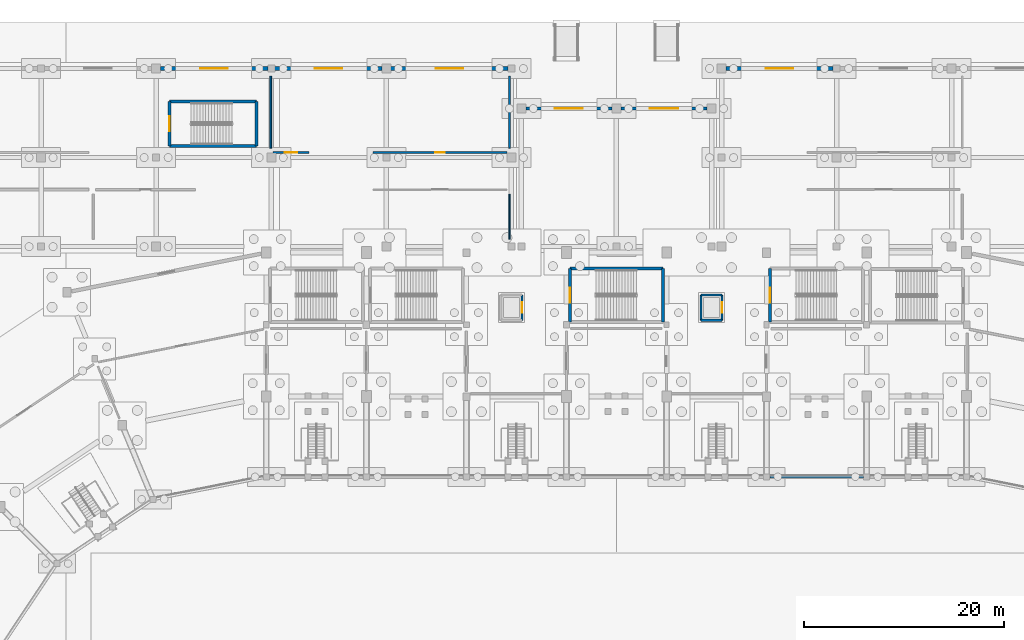
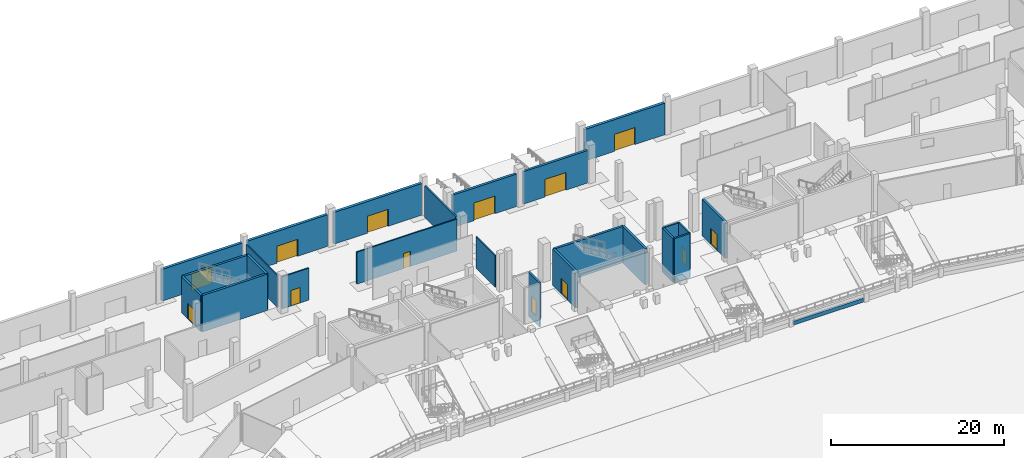
# One storey, part 39 of 68: 25 walls, 13 doors, 13 openings.
"""IFC4 building model written with IfcOpenShell, lengths in metres."""

from ifc_helpers import new_model, si_unit, direction, frame, frame_2d, origin, place, context, subcontext, project, spatial, rectangle, extrude, material, layer, layer_set, type_object, element, fill, save


model = new_model("IFC4")

# Units and contexts
model_context = context("Model", 3, precision=1e-05, world=origin(), true_north=direction((0.0, 1.0)))
body_context = subcontext(model_context, "Body", "Model", "MODEL_VIEW")
ifc_project = project(units=[si_unit("LENGTHUNIT", "METRE"), si_unit("AREAUNIT", "SQUARE_METRE"), si_unit("VOLUMEUNIT", "CUBIC_METRE"), si_unit("PLANEANGLEUNIT", "RADIAN"), si_unit("MASSUNIT", "GRAM", prefix="KILO")], contexts=[model_context])

# Site, building, storey
site_placement = place(None, origin())
site = spatial("IfcSite", under=ifc_project, at=site_placement, CompositionType="ELEMENT")
building_placement = place(site_placement, origin())
building = spatial("IfcBuilding", under=site, at=building_placement, Name="Candeia Ridge Stadium", CompositionType="ELEMENT")
storey_placement = place(building_placement, origin())
storey = spatial("IfcBuildingStorey", under=building, at=storey_placement, Name="L00", CompositionType="ELEMENT", Elevation=0.0)

# Wall, opening, door
ifc_material_1 = material(Name="Concrete C45/55", Category="concrete")
ifc_layer_1 = layer(ifc_material_1, 0.300048828125, Name="Concrete C45/55", Category="concrete")
ifc_layer_set_1 = layer_set([ifc_layer_1], Name="Concrete C45/55")
wall_type_1 = type_object("IfcWallType", Name="Core Shear Wall Concrete 300", PredefinedType="SHEAR", material=ifc_layer_set_1)
wall_1_placement = place(storey_placement, frame((121.350341796875, 145.399658203125, 0.0), z_axis=(0.0, 0.0, 1.0), x_axis=(0.0, -1.0, 0.0)))
wall_1 = element("IfcWall", 1, at=wall_1_placement, inside=storey, type_object=wall_type_1, Name="Core C10 near shear wall L00", PredefinedType="SHEAR", context=body_context, shape_type="SweptSolid", body=[
    extrude(rectangle(XDim=5.349365234375, YDim=0.300048828125, at=frame_2d((2.6748046875, 0.0))), origin(), (0.0, 0.0, 1.0), 5.139892578125),
])
opening_1_placement = place(wall_1_placement, frame((1.924560546875, 0.0, 0.0)))
opening_1 = element("IfcOpeningElement", 2, at=opening_1_placement, cuts=wall_1, Name="Opening FD01", PredefinedType="OPENING", context=body_context, shape_type="SweptSolid", body=[
    extrude(rectangle(XDim=1.5, YDim=2.199951171875, at=frame_2d((0.75, 1.10009765625))), frame((0.0, 0.159912109375, 0.0), z_axis=(0.0, -1.0, 0.0), x_axis=(1.0, 0.0, 0.0)), (0.0, 0.0, 1.0), 0.320068359375),
])
ifc_material_2 = material(Name="Galvanized Fire-Rated Steel", Category="steel")
door_type_1 = type_object("IfcDoorType", Name="Exit Stair Core Fire Door 1500x2200", OperationType="NOTDEFINED", PredefinedType="DOOR", material=ifc_material_2)
door_1_placement = place(opening_1_placement, frame((1.5, 0.0, 0.0), z_axis=(0.0, 0.0, 1.0), x_axis=(-1.0, 0.0, 0.0)))
door_1 = element("IfcDoor", 3, at=door_1_placement, inside=storey, type_object=door_type_1, Name="Exit stair fire door SD-ST10-L00", OperationType="DOUBLE_DOOR_SINGLE_SWING", OverallHeight=2.199951171875, OverallWidth=1.5, PredefinedType="DOOR", context=body_context, shape_type="SweptSolid", body=[
    extrude(rectangle(XDim=1.5, YDim=2.199951171875, at=frame_2d((0.75, 1.10009765625))), frame((0.0, 0.02490234375, 0.0), z_axis=(0.0, -1.0, 0.0), x_axis=(1.0, 0.0, 0.0)), (0.0, 0.0, 1.0), 0.050048828125),
])
fill(opening_1, door_1)

# Walls
wall_2_placement = place(storey_placement, frame((61.350341796875, 157.650390625, 0.0), z_axis=(0.0, 0.0, 1.0), x_axis=(1.0, 0.0, 0.0)))
element("IfcWall", 4, at=wall_2_placement, inside=storey, type_object=wall_type_1, Name="Core C15 left shear wall L00", PredefinedType="SHEAR", context=body_context, shape_type="SweptSolid", body=[
    extrude(rectangle(XDim=8.69921875, YDim=0.300048828125, at=frame_2d((4.349609375, 0.0))), origin(), (0.0, 0.0, 1.0), 5.139892578125),
])
wall_3_placement = place(storey_placement, frame((70.049560546875, 157.650390625, 0.0), z_axis=(0.0, 0.0, 1.0), x_axis=(0.0, 1.0, 0.0)))
element("IfcWall", 5, at=wall_3_placement, inside=storey, type_object=wall_type_1, Name="Core C15 far shear wall L00", PredefinedType="SHEAR", context=body_context, shape_type="SweptSolid", body=[
    extrude(rectangle(XDim=4.44921875, YDim=0.300048828125, at=frame_2d((2.224609375, 0.0))), origin(), (0.0, 0.0, 1.0), 5.139892578125),
])
wall_4_placement = place(storey_placement, frame((70.049560546875, 162.099609375, 0.0), z_axis=(0.0, 0.0, 1.0), x_axis=(-1.0, 0.0, 0.0)))
element("IfcWall", 6, at=wall_4_placement, inside=storey, type_object=wall_type_1, Name="Core C15 right shear wall L00", PredefinedType="SHEAR", context=body_context, shape_type="SweptSolid", body=[
    extrude(rectangle(XDim=8.69921875, YDim=0.300048828125, at=frame_2d((4.349609375, 0.0))), origin(), (0.0, 0.0, 1.0), 5.139892578125),
])

# Wall, opening, door
wall_5_placement = place(storey_placement, frame((61.350341796875, 162.099609375, 0.0), z_axis=(0.0, 0.0, 1.0), x_axis=(0.0, -1.0, 0.0)))
wall_5 = element("IfcWall", 7, at=wall_5_placement, inside=storey, type_object=wall_type_1, Name="Core C15 near shear wall L00", PredefinedType="SHEAR", context=body_context, shape_type="SweptSolid", body=[
    extrude(rectangle(XDim=4.44921875, YDim=0.300048828125, at=frame_2d((2.224609375, 0.0))), origin(), (0.0, 0.0, 1.0), 5.139892578125),
])
opening_2_placement = place(wall_5_placement, frame((1.474609375, 0.0, 0.0)))
opening_2 = element("IfcOpeningElement", 8, at=opening_2_placement, cuts=wall_5, Name="Opening FD01", PredefinedType="OPENING", context=body_context, shape_type="SweptSolid", body=[
    extrude(rectangle(XDim=1.5, YDim=2.199951171875, at=frame_2d((0.75, 1.10009765625))), frame((0.0, 0.159912109375, 0.0), z_axis=(0.0, -1.0, 0.0), x_axis=(1.0, 0.0, 0.0)), (0.0, 0.0, 1.0), 0.320068359375),
])
door_2_placement = place(opening_2_placement, frame((1.5, 0.0, 0.0), z_axis=(0.0, 0.0, 1.0), x_axis=(-1.0, 0.0, 0.0)))
door_2 = element("IfcDoor", 9, at=door_2_placement, inside=storey, type_object=door_type_1, Name="Exit stair fire door SD-ST15-L00", OperationType="DOUBLE_DOOR_SINGLE_SWING", OverallHeight=2.199951171875, OverallWidth=1.5, PredefinedType="DOOR", context=body_context, shape_type="SweptSolid", body=[
    extrude(rectangle(XDim=1.5, YDim=2.199951171875, at=frame_2d((0.75, 1.10009765625))), frame((0.0, 0.02490234375, 0.0), z_axis=(0.0, -1.0, 0.0), x_axis=(1.0, 0.0, 0.0)), (0.0, 0.0, 1.0), 0.050048828125),
])
fill(opening_2, door_2)

# Walls
wall_6_placement = place(storey_placement, frame((110.649658203125, 140.05029296875, 0.0), z_axis=(0.0, 0.0, 1.0), x_axis=(0.0, 1.0, 0.0)))
element("IfcWall", 10, at=wall_6_placement, inside=storey, type_object=wall_type_1, Name="Core C17 far shear wall L00", PredefinedType="SHEAR", context=body_context, shape_type="SweptSolid", body=[
    extrude(rectangle(XDim=5.349365234375, YDim=0.300048828125, at=frame_2d((2.6748046875, 0.0))), origin(), (0.0, 0.0, 1.0), 5.139892578125),
])
wall_7_placement = place(storey_placement, frame((110.649658203125, 145.399658203125, 0.0), z_axis=(0.0, 0.0, 1.0), x_axis=(-1.0, 0.0, 0.0)))
element("IfcWall", 11, at=wall_7_placement, inside=storey, type_object=wall_type_1, Name="Core C17 right shear wall L00", PredefinedType="SHEAR", context=body_context, shape_type="SweptSolid", body=[
    extrude(rectangle(XDim=9.29931640625, YDim=0.300048828125, at=frame_2d((4.649658203125, 0.0))), origin(), (0.0, 0.0, 1.0), 5.139892578125),
])

# Wall, opening, door
wall_8_placement = place(storey_placement, frame((101.350341796875, 145.399658203125, 0.0), z_axis=(0.0, 0.0, 1.0), x_axis=(0.0, -1.0, 0.0)))
wall_8 = element("IfcWall", 12, at=wall_8_placement, inside=storey, type_object=wall_type_1, Name="Core C17 near shear wall L00", PredefinedType="SHEAR", context=body_context, shape_type="SweptSolid", body=[
    extrude(rectangle(XDim=5.349365234375, YDim=0.300048828125, at=frame_2d((2.6748046875, 0.0))), origin(), (0.0, 0.0, 1.0), 5.139892578125),
])
opening_3_placement = place(wall_8_placement, frame((1.924560546875, 0.0, 0.0)))
opening_3 = element("IfcOpeningElement", 13, at=opening_3_placement, cuts=wall_8, Name="Opening FD01", PredefinedType="OPENING", context=body_context, shape_type="SweptSolid", body=[
    extrude(rectangle(XDim=1.5, YDim=2.199951171875, at=frame_2d((0.75, 1.10009765625))), frame((0.0, 0.159912109375, 0.0), z_axis=(0.0, -1.0, 0.0), x_axis=(1.0, 0.0, 0.0)), (0.0, 0.0, 1.0), 0.320068359375),
])
door_3_placement = place(opening_3_placement, frame((1.5, 0.0, 0.0), z_axis=(0.0, 0.0, 1.0), x_axis=(-1.0, 0.0, 0.0)))
door_3 = element("IfcDoor", 14, at=door_3_placement, inside=storey, type_object=door_type_1, Name="Exit stair fire door SD-ST17-L00", OperationType="DOUBLE_DOOR_SINGLE_SWING", OverallHeight=2.199951171875, OverallWidth=1.5, PredefinedType="DOOR", context=body_context, shape_type="SweptSolid", body=[
    extrude(rectangle(XDim=1.5, YDim=2.199951171875, at=frame_2d((0.75, 1.10009765625))), frame((0.0, 0.02490234375, 0.0), z_axis=(0.0, -1.0, 0.0), x_axis=(1.0, 0.0, 0.0)), (0.0, 0.0, 1.0), 0.050048828125),
])
fill(opening_3, door_3)

# Wall
ifc_material_3 = material(Name="Gypsum Acoustic Twin-Stud Assembly", Category="gypsum")
ifc_layer_2 = layer(ifc_material_3, 0.179931640625, Name="Gypsum Acoustic Twin-Stud Assembly", Category="gypsum")
ifc_layer_set_2 = layer_set([ifc_layer_2], Name="Gypsum Acoustic Twin-Stud Assembly")
wall_type_2 = type_object("IfcWallType", Name="Corridor Fire Partition 180", PredefinedType="PARTITIONING", material=ifc_layer_set_2)
wall_9_placement = place(storey_placement, frame((95.300048828125, 164.64990234375, 0.0), z_axis=(0.0, 0.0, 1.0), x_axis=(0.0, -1.0, 0.0)))
element("IfcWall", 15, at=wall_9_placement, inside=storey, type_object=wall_type_2, Name="Demising partition PT-L00-0094", PredefinedType="PARTITIONING", context=body_context, shape_type="SweptSolid", body=[
    extrude(rectangle(XDim=7.199951171875, YDim=0.179931640625, at=frame_2d((3.60009765625, 0.0))), origin(), (0.0, 0.0, 1.0), 4.47509765625),
])

# Wall, opening, door
ifc_material_4 = material(Name="Concrete C40/50", Category="concrete")
ifc_layer_3 = layer(ifc_material_4, 0.360107421875, Name="Concrete C40/50", Category="concrete")
ifc_layer_set_3 = layer_set([ifc_layer_3], Name="Concrete C40/50")
wall_type_3 = type_object("IfcWallType", Name="Exterior Basalt Plinth Wall 360", PredefinedType="SOLIDWALL", material=ifc_layer_set_3)
wall_10_placement = place(storey_placement, frame((60.43798828125, 165.39990234375, 0.0), z_axis=(0.0, 0.0, 1.0), x_axis=(1.0, 0.0, 0.0)))
wall_10 = element("IfcWall", 16, at=wall_10_placement, inside=storey, type_object=wall_type_3, Name="Exterior facade wall EW-L00-0191", PredefinedType="SOLIDWALL", context=body_context, shape_type="SweptSolid", body=[
    extrude(rectangle(XDim=10.72412109375, YDim=0.360107421875, at=frame_2d((5.362060546875, 0.0))), origin(), (0.0, 0.0, 1.0), 4.47509765625),
])
opening_4_placement = place(wall_10_placement, frame((3.987060546875, 0.0, 0.0)))
opening_4 = element("IfcOpeningElement", 17, at=opening_4_placement, cuts=wall_10, Name="Opening ED01", PredefinedType="OPENING", context=body_context, shape_type="SweptSolid", body=[
    extrude(rectangle(XDim=2.75, YDim=2.39990234375, at=frame_2d((1.375, 1.199951171875))), frame((0.0, 0.18994140625, 0.0), z_axis=(0.0, -1.0, 0.0), x_axis=(1.0, 0.0, 0.0)), (0.0, 0.0, 1.0), 0.380126953125),
])
ifc_material_5 = material(Name="Aluminium Anodized Glazed Door", Category="aluminium")
door_type_2 = type_object("IfcDoorType", Name="Pedestrian Exit Double Door 2750x2400", OperationType="NOTDEFINED", PredefinedType="DOOR", material=ifc_material_5)
door_4_placement = place(opening_4_placement, origin())
door_4 = element("IfcDoor", 18, at=door_4_placement, inside=storey, type_object=door_type_2, Name="Pedestrian exit gate G32", OperationType="DOUBLE_DOOR_SINGLE_SWING", OverallHeight=2.39990234375, OverallWidth=2.75, PredefinedType="DOOR", context=body_context, shape_type="SweptSolid", body=[
    extrude(rectangle(XDim=2.75, YDim=2.39990234375, at=frame_2d((1.375, 1.199951171875))), frame((0.0, 0.02490234375, 0.0), z_axis=(0.0, -1.0, 0.0), x_axis=(1.0, 0.0, 0.0)), (0.0, 0.0, 1.0), 0.050048828125),
])
fill(opening_4, door_4)

wall_11_placement = place(storey_placement, frame((71.837890625, 165.39990234375, 0.0), z_axis=(0.0, 0.0, 1.0), x_axis=(1.0, 0.0, 0.0)))
wall_11 = element("IfcWall", 19, at=wall_11_placement, inside=storey, type_object=wall_type_3, Name="Exterior facade wall EW-L00-0192", PredefinedType="SOLIDWALL", context=body_context, shape_type="SweptSolid", body=[
    extrude(rectangle(XDim=10.72412109375, YDim=0.360107421875, at=frame_2d((5.362060546875, 0.0))), origin(), (0.0, 0.0, 1.0), 4.47509765625),
])
opening_5_placement = place(wall_11_placement, frame((3.987060546875, 0.0, 0.0)))
opening_5 = element("IfcOpeningElement", 20, at=opening_5_placement, cuts=wall_11, Name="Opening ED01", PredefinedType="OPENING", context=body_context, shape_type="SweptSolid", body=[
    extrude(rectangle(XDim=2.75, YDim=2.39990234375, at=frame_2d((1.375, 1.199951171875))), frame((0.0, 0.18994140625, 0.0), z_axis=(0.0, -1.0, 0.0), x_axis=(1.0, 0.0, 0.0)), (0.0, 0.0, 1.0), 0.380126953125),
])
door_5_placement = place(opening_5_placement, origin())
door_5 = element("IfcDoor", 21, at=door_5_placement, inside=storey, type_object=door_type_2, Name="Pedestrian exit gate G33", OperationType="DOUBLE_DOOR_SINGLE_SWING", OverallHeight=2.39990234375, OverallWidth=2.75, PredefinedType="DOOR", context=body_context, shape_type="SweptSolid", body=[
    extrude(rectangle(XDim=2.75, YDim=2.39990234375, at=frame_2d((1.375, 1.199951171875))), frame((0.0, 0.02490234375, 0.0), z_axis=(0.0, -1.0, 0.0), x_axis=(1.0, 0.0, 0.0)), (0.0, 0.0, 1.0), 0.050048828125),
])
fill(opening_5, door_5)

wall_12_placement = place(storey_placement, frame((83.43798828125, 165.39990234375, 0.0), z_axis=(0.0, 0.0, 1.0), x_axis=(1.0, 0.0, 0.0)))
wall_12 = element("IfcWall", 22, at=wall_12_placement, inside=storey, type_object=wall_type_3, Name="Exterior facade wall EW-L00-0193", PredefinedType="SOLIDWALL", context=body_context, shape_type="SweptSolid", body=[
    extrude(rectangle(XDim=11.72412109375, YDim=0.360107421875, at=frame_2d((5.862060546875, 0.0))), origin(), (0.0, 0.0, 1.0), 4.47509765625),
])
opening_6_placement = place(wall_12_placement, frame((4.487060546875, 0.0, 0.0)))
opening_6 = element("IfcOpeningElement", 23, at=opening_6_placement, cuts=wall_12, Name="Opening ED01", PredefinedType="OPENING", context=body_context, shape_type="SweptSolid", body=[
    extrude(rectangle(XDim=2.75, YDim=2.39990234375, at=frame_2d((1.375, 1.199951171875))), frame((0.0, 0.18994140625, 0.0), z_axis=(0.0, -1.0, 0.0), x_axis=(1.0, 0.0, 0.0)), (0.0, 0.0, 1.0), 0.380126953125),
])
door_6_placement = place(opening_6_placement, origin())
door_6 = element("IfcDoor", 24, at=door_6_placement, inside=storey, type_object=door_type_2, Name="Pedestrian exit gate G34", OperationType="DOUBLE_DOOR_SINGLE_SWING", OverallHeight=2.39990234375, OverallWidth=2.75, PredefinedType="DOOR", context=body_context, shape_type="SweptSolid", body=[
    extrude(rectangle(XDim=2.75, YDim=2.39990234375, at=frame_2d((1.375, 1.199951171875))), frame((0.0, 0.02490234375, 0.0), z_axis=(0.0, -1.0, 0.0), x_axis=(1.0, 0.0, 0.0)), (0.0, 0.0, 1.0), 0.050048828125),
])
fill(opening_6, door_6)

wall_13_placement = place(storey_placement, frame((116.93798828125, 165.39990234375, 0.0), z_axis=(0.0, 0.0, 1.0), x_axis=(1.0, 0.0, 0.0)))
wall_13 = element("IfcWall", 25, at=wall_13_placement, inside=storey, type_object=wall_type_3, Name="Exterior facade wall EW-L00-0194", PredefinedType="SOLIDWALL", context=body_context, shape_type="SweptSolid", body=[
    extrude(rectangle(XDim=10.72412109375, YDim=0.360107421875, at=frame_2d((5.362060546875, 0.0))), origin(), (0.0, 0.0, 1.0), 4.47509765625),
])
opening_7_placement = place(wall_13_placement, frame((3.987060546875, 0.0, 0.0)))
opening_7 = element("IfcOpeningElement", 26, at=opening_7_placement, cuts=wall_13, Name="Opening ED01", PredefinedType="OPENING", context=body_context, shape_type="SweptSolid", body=[
    extrude(rectangle(XDim=2.75, YDim=2.39990234375, at=frame_2d((1.375, 1.199951171875))), frame((0.0, 0.18994140625, 0.0), z_axis=(0.0, -1.0, 0.0), x_axis=(1.0, 0.0, 0.0)), (0.0, 0.0, 1.0), 0.380126953125),
])
door_7_placement = place(opening_7_placement, origin())
door_7 = element("IfcDoor", 27, at=door_7_placement, inside=storey, type_object=door_type_2, Name="Pedestrian exit gate G35", OperationType="DOUBLE_DOOR_SINGLE_SWING", OverallHeight=2.39990234375, OverallWidth=2.75, PredefinedType="DOOR", context=body_context, shape_type="SweptSolid", body=[
    extrude(rectangle(XDim=2.75, YDim=2.39990234375, at=frame_2d((1.375, 1.199951171875))), frame((0.0, 0.02490234375, 0.0), z_axis=(0.0, -1.0, 0.0), x_axis=(1.0, 0.0, 0.0)), (0.0, 0.0, 1.0), 0.050048828125),
])
fill(opening_7, door_7)

ifc_material_6 = material(Name="Concrete C35/45", Category="concrete")
ifc_layer_4 = layer(ifc_material_6, 0.31005859375, Name="Concrete C35/45", Category="concrete")
ifc_layer_set_4 = layer_set([ifc_layer_4], Name="Concrete C35/45")
wall_type_4 = type_object("IfcWallType", Name="Exterior Gate Spandrel Wall 310", PredefinedType="STANDARD", material=ifc_layer_set_4)
wall_14_placement = place(storey_placement, frame((96.93798828125, 161.39990234375, 0.0), z_axis=(0.0, 0.0, 1.0), x_axis=(1.0, 0.0, 0.0)))
wall_14 = element("IfcWall", 28, at=wall_14_placement, inside=storey, type_object=wall_type_4, Name="Exterior facade wall EW-L00-0200", PredefinedType="STANDARD", context=body_context, shape_type="SweptSolid", body=[
    extrude(rectangle(XDim=8.6240234375, YDim=0.31005859375, at=frame_2d((4.31201171875, 0.0))), origin(), (0.0, 0.0, 1.0), 4.592041015625),
])
opening_8_placement = place(wall_14_placement, frame((2.912109375, 0.0, 0.0)))
opening_8 = element("IfcOpeningElement", 29, at=opening_8_placement, cuts=wall_14, Name="Opening ED03", PredefinedType="OPENING", context=body_context, shape_type="SweptSolid", body=[
    extrude(rectangle(XDim=2.800048828125, YDim=2.5, at=frame_2d((1.39990234375, 1.25))), frame((0.0, 0.1650390625, 0.0), z_axis=(0.0, -1.0, 0.0), x_axis=(1.0, 0.0, 0.0)), (0.0, 0.0, 1.0), 0.330078125),
])
door_type_3 = type_object("IfcDoorType", Name="Main Entrance Double Door 2800x2500", OperationType="NOTDEFINED", PredefinedType="DOOR", material=ifc_material_5)
door_8_placement = place(opening_8_placement, origin())
door_8 = element("IfcDoor", 30, at=door_8_placement, inside=storey, type_object=door_type_3, Name="Main entrance E03", OperationType="DOUBLE_DOOR_SINGLE_SWING", OverallHeight=2.5, OverallWidth=2.800048828125, PredefinedType="DOOR", context=body_context, shape_type="SweptSolid", body=[
    extrude(rectangle(XDim=2.800048828125, YDim=2.5, at=frame_2d((1.39990234375, 1.25))), frame((0.0, 0.02490234375, 0.0), z_axis=(0.0, -1.0, 0.0), x_axis=(1.0, 0.0, 0.0)), (0.0, 0.0, 1.0), 0.050048828125),
])
fill(opening_8, door_8)

wall_15_placement = place(storey_placement, frame((106.43798828125, 161.39990234375, 0.0), z_axis=(0.0, 0.0, 1.0), x_axis=(1.0, 0.0, 0.0)))
wall_15 = element("IfcWall", 31, at=wall_15_placement, inside=storey, type_object=wall_type_4, Name="Exterior facade wall EW-L00-0201", PredefinedType="STANDARD", context=body_context, shape_type="SweptSolid", body=[
    extrude(rectangle(XDim=8.6240234375, YDim=0.31005859375, at=frame_2d((4.31201171875, 0.0))), origin(), (0.0, 0.0, 1.0), 4.592041015625),
])
opening_9_placement = place(wall_15_placement, frame((2.912109375, 0.0, 0.0)))
opening_9 = element("IfcOpeningElement", 32, at=opening_9_placement, cuts=wall_15, Name="Opening ED03", PredefinedType="OPENING", context=body_context, shape_type="SweptSolid", body=[
    extrude(rectangle(XDim=2.800048828125, YDim=2.5, at=frame_2d((1.39990234375, 1.25))), frame((0.0, 0.1650390625, 0.0), z_axis=(0.0, -1.0, 0.0), x_axis=(1.0, 0.0, 0.0)), (0.0, 0.0, 1.0), 0.330078125),
])
door_9_placement = place(opening_9_placement, origin())
door_9 = element("IfcDoor", 33, at=door_9_placement, inside=storey, type_object=door_type_3, Name="Main entrance E04", OperationType="DOUBLE_DOOR_SINGLE_SWING", OverallHeight=2.5, OverallWidth=2.800048828125, PredefinedType="DOOR", context=body_context, shape_type="SweptSolid", body=[
    extrude(rectangle(XDim=2.800048828125, YDim=2.5, at=frame_2d((1.39990234375, 1.25))), frame((0.0, 0.02490234375, 0.0), z_axis=(0.0, -1.0, 0.0), x_axis=(1.0, 0.0, 0.0)), (0.0, 0.0, 1.0), 0.050048828125),
])
fill(opening_9, door_9)

ifc_layer_5 = layer(ifc_material_4, 0.219970703125, Name="Concrete C40/50", Category="concrete")
ifc_layer_set_5 = layer_set([ifc_layer_5], Name="Concrete C40/50")
wall_type_5 = type_object("IfcWallType", Name="Lift & Riser Shaft Wall 220", PredefinedType="SHEAR", material=ifc_layer_set_5)
wall_16_placement = place(storey_placement, frame((96.56005859375, 140.239990234375, -1.10009765625), z_axis=(0.0, 0.0, 1.0), x_axis=(0.0, 1.0, 0.0)))
wall_16 = element("IfcWall", 34, at=wall_16_placement, inside=storey, type_object=wall_type_5, Name="Lift PL1 shaft wall L00 east", PredefinedType="SHEAR", context=body_context, shape_type="SweptSolid", body=[
    extrude(rectangle(XDim=2.52001953125, YDim=0.219970703125, at=frame_2d((1.260009765625, 0.0))), origin(), (0.0, 0.0, 1.0), 6.239990234375),
])
opening_10_placement = place(wall_16_placement, frame((0.735107421875, 0.0, 1.10009765625)))
opening_10 = element("IfcOpeningElement", 35, at=opening_10_placement, cuts=wall_16, Name="Opening LD02", PredefinedType="OPENING", context=body_context, shape_type="SweptSolid", body=[
    extrude(rectangle(XDim=1.050048828125, YDim=2.14990234375, at=frame_2d((0.52490234375, 1.074951171875))), frame((0.0, 0.119873046875, 0.0), z_axis=(0.0, -1.0, 0.0), x_axis=(1.0, 0.0, 0.0)), (0.0, 0.0, 1.0), 0.239990234375),
])
ifc_material_7 = material(Name="Brushed Stainless Steel", Category="steel")
door_type_4 = type_object("IfcDoorType", Name="Passenger Lift Landing Door 1050x2150", OperationType="NOTDEFINED", PredefinedType="DOOR", material=ifc_material_7)
door_10_placement = place(opening_10_placement, origin())
door_10 = element("IfcDoor", 36, at=door_10_placement, inside=storey, type_object=door_type_4, Name="Lift landing sliding door LD-PL1-L00", OperationType="DOUBLE_DOOR_SLIDING", OverallHeight=2.14990234375, OverallWidth=1.050048828125, PredefinedType="DOOR", context=body_context, shape_type="SweptSolid", body=[
    extrude(rectangle(XDim=1.050048828125, YDim=2.14990234375, at=frame_2d((0.52490234375, 1.074951171875))), frame((0.0, 0.02490234375, 0.0), z_axis=(0.0, -1.0, 0.0), x_axis=(1.0, 0.0, 0.0)), (0.0, 0.0, 1.0), 0.050048828125),
])
fill(opening_10, door_10)

# Wall
wall_17_placement = place(storey_placement, frame((114.43994140625, 140.239990234375, -1.10009765625), z_axis=(0.0, 0.0, 1.0), x_axis=(1.0, 0.0, 0.0)))
element("IfcWall", 37, at=wall_17_placement, inside=storey, type_object=wall_type_5, Name="Lift PL2 shaft wall L00 south", PredefinedType="SHEAR", context=body_context, shape_type="SweptSolid", body=[
    extrude(rectangle(XDim=2.1201171875, YDim=0.219970703125, at=frame_2d((1.06005859375, 0.0))), origin(), (0.0, 0.0, 1.0), 6.239990234375),
])

# Wall, opening, door
wall_18_placement = place(storey_placement, frame((116.56005859375, 140.239990234375, -1.10009765625), z_axis=(0.0, 0.0, 1.0), x_axis=(0.0, 1.0, 0.0)))
wall_18 = element("IfcWall", 38, at=wall_18_placement, inside=storey, type_object=wall_type_5, Name="Lift PL2 shaft wall L00 east", PredefinedType="SHEAR", context=body_context, shape_type="SweptSolid", body=[
    extrude(rectangle(XDim=2.52001953125, YDim=0.219970703125, at=frame_2d((1.260009765625, 0.0))), origin(), (0.0, 0.0, 1.0), 6.239990234375),
])
opening_11_placement = place(wall_18_placement, frame((0.735107421875, 0.0, 1.10009765625)))
opening_11 = element("IfcOpeningElement", 39, at=opening_11_placement, cuts=wall_18, Name="Opening LD02", PredefinedType="OPENING", context=body_context, shape_type="SweptSolid", body=[
    extrude(rectangle(XDim=1.050048828125, YDim=2.14990234375, at=frame_2d((0.52490234375, 1.074951171875))), frame((0.0, 0.119873046875, 0.0), z_axis=(0.0, -1.0, 0.0), x_axis=(1.0, 0.0, 0.0)), (0.0, 0.0, 1.0), 0.239990234375),
])
door_11_placement = place(opening_11_placement, origin())
door_11 = element("IfcDoor", 40, at=door_11_placement, inside=storey, type_object=door_type_4, Name="Lift landing sliding door LD-PL2-L00", OperationType="DOUBLE_DOOR_SLIDING", OverallHeight=2.14990234375, OverallWidth=1.050048828125, PredefinedType="DOOR", context=body_context, shape_type="SweptSolid", body=[
    extrude(rectangle(XDim=1.050048828125, YDim=2.14990234375, at=frame_2d((0.52490234375, 1.074951171875))), frame((0.0, 0.02490234375, 0.0), z_axis=(0.0, -1.0, 0.0), x_axis=(1.0, 0.0, 0.0)), (0.0, 0.0, 1.0), 0.050048828125),
])
fill(opening_11, door_11)

# Walls
wall_19_placement = place(storey_placement, frame((116.56005859375, 142.760009765625, -1.10009765625), z_axis=(0.0, 0.0, 1.0), x_axis=(-1.0, 0.0, 0.0)))
element("IfcWall", 41, at=wall_19_placement, inside=storey, type_object=wall_type_5, Name="Lift PL2 shaft wall L00 north", PredefinedType="SHEAR", context=body_context, shape_type="SweptSolid", body=[
    extrude(rectangle(XDim=2.1201171875, YDim=0.219970703125, at=frame_2d((1.06005859375, 0.0))), origin(), (0.0, 0.0, 1.0), 6.239990234375),
])
wall_20_placement = place(storey_placement, frame((114.43994140625, 142.760009765625, -1.10009765625), z_axis=(0.0, 0.0, 1.0), x_axis=(0.0, -1.0, 0.0)))
element("IfcWall", 42, at=wall_20_placement, inside=storey, type_object=wall_type_5, Name="Lift PL2 shaft wall L00 west", PredefinedType="SHEAR", context=body_context, shape_type="SweptSolid", body=[
    extrude(rectangle(XDim=2.52001953125, YDim=0.219970703125, at=frame_2d((1.260009765625, 0.0))), origin(), (0.0, 0.0, 1.0), 6.239990234375),
])

# Wall, opening, door
ifc_material_8 = material(Name="Gypsum Acoustic Triple-Board Wall", Category="gypsum")
ifc_layer_6 = layer(ifc_material_8, 0.18994140625, Name="Gypsum Acoustic Triple-Board Wall", Category="gypsum")
ifc_layer_set_6 = layer_set([ifc_layer_6], Name="Gypsum Acoustic Triple-Board Wall")
wall_type_6 = type_object("IfcWallType", Name="Media & Commentary Studio Wall 190", PredefinedType="PARTITIONING", material=ifc_layer_set_6)
wall_21_placement = place(storey_placement, frame((75.25, 157.0, 0.0), z_axis=(0.0, 0.0, 1.0), x_axis=(-1.0, 0.0, 0.0)))
wall_21 = element("IfcWall", 43, at=wall_21_placement, inside=storey, type_object=wall_type_6, Name="Interior partition PT-L00-0089", PredefinedType="PARTITIONING", context=body_context, shape_type="SweptSolid", body=[
    extrude(rectangle(XDim=3.56005859375, YDim=0.18994140625, at=frame_2d((1.780029296875, 0.0))), origin(), (0.0, 0.0, 1.0), 4.52490234375),
])
opening_12_placement = place(wall_21_placement, frame((1.155029296875, 0.0, 0.0)))
opening_12 = element("IfcOpeningElement", 44, at=opening_12_placement, cuts=wall_21, Name="Opening ID11", PredefinedType="OPENING", context=body_context, shape_type="SweptSolid", body=[
    extrude(rectangle(XDim=1.25, YDim=2.199951171875, at=frame_2d((0.625, 1.10009765625))), frame((0.0, 0.10498046875, 0.0), z_axis=(0.0, -1.0, 0.0), x_axis=(1.0, 0.0, 0.0)), (0.0, 0.0, 1.0), 0.2099609375),
])
ifc_material_9 = material(Name="Acoustic Timber Studio Leaf", Category="wood")
door_type_5 = type_object("IfcDoorType", Name="Press Tribune Acoustic Door 1250x2200", OperationType="NOTDEFINED", PredefinedType="DOOR", material=ifc_material_9)
door_12_placement = place(opening_12_placement, origin())
door_12 = element("IfcDoor", 45, at=door_12_placement, inside=storey, type_object=door_type_5, Name="Interior room door D-L00-0048", OperationType="SINGLE_SWING_LEFT", OverallHeight=2.199951171875, OverallWidth=1.25, PredefinedType="DOOR", context=body_context, shape_type="SweptSolid", body=[
    extrude(rectangle(XDim=1.25, YDim=2.199951171875, at=frame_2d((0.625, 1.10009765625))), frame((0.0, 0.02490234375, 0.0), z_axis=(0.0, -1.0, 0.0), x_axis=(1.0, 0.0, 0.0)), (0.0, 0.0, 1.0), 0.050048828125),
])
fill(opening_12, door_12)

ifc_layer_7 = layer(ifc_material_3, 0.175048828125, Name="Gypsum Acoustic Twin-Stud Assembly", Category="gypsum")
ifc_layer_set_7 = layer_set([ifc_layer_7], Name="Gypsum Acoustic Twin-Stud Assembly")
wall_type_7 = type_object("IfcWallType", Name="Museum Acoustic Gallery Wall 175", PredefinedType="PARTITIONING", material=ifc_layer_set_7)
wall_22_placement = place(storey_placement, frame((95.050048828125, 157.0, 0.0), z_axis=(0.0, 0.0, 1.0), x_axis=(-1.0, 0.0, 0.0)))
wall_22 = element("IfcWall", 46, at=wall_22_placement, inside=storey, type_object=wall_type_7, Name="Interior partition PT-L00-0093", PredefinedType="PARTITIONING", context=body_context, shape_type="SweptSolid", body=[
    extrude(rectangle(XDim=13.360107421875, YDim=0.175048828125, at=frame_2d((6.68017578125, 0.0))), origin(), (0.0, 0.0, 1.0), 4.52490234375),
])
opening_13_placement = place(wall_22_placement, frame((6.199951171875, 0.0, 0.0)))
opening_13 = element("IfcOpeningElement", 47, at=opening_13_placement, cuts=wall_22, Name="Opening ID17", PredefinedType="OPENING", context=body_context, shape_type="SweptSolid", body=[
    extrude(rectangle(XDim=0.9599609375, YDim=2.14990234375, at=frame_2d((0.47998046875, 1.074951171875))), frame((0.0, 0.097412109375, 0.0), z_axis=(0.0, -1.0, 0.0), x_axis=(1.0, 0.0, 0.0)), (0.0, 0.0, 1.0), 0.195068359375),
])
ifc_material_10 = material(Name="Solid Core Cedar Veneer", Category="wood")
door_type_6 = type_object("IfcDoorType", Name="Ticketing Office Single Door 960x2150", OperationType="NOTDEFINED", PredefinedType="DOOR", material=ifc_material_10)
door_13_placement = place(opening_13_placement, origin())
door_13 = element("IfcDoor", 48, at=door_13_placement, inside=storey, type_object=door_type_6, Name="Interior room door D-L00-0050", OperationType="SINGLE_SWING_RIGHT", OverallHeight=2.14990234375, OverallWidth=0.9599609375, PredefinedType="DOOR", context=body_context, shape_type="SweptSolid", body=[
    extrude(rectangle(XDim=0.9599609375, YDim=2.14990234375, at=frame_2d((0.47998046875, 1.074951171875))), frame((0.0, 0.02490234375, 0.0), z_axis=(0.0, -1.0, 0.0), x_axis=(1.0, 0.0, 0.0)), (0.0, 0.0, 1.0), 0.050048828125),
])
fill(opening_13, door_13)

# Walls
ifc_layer_8 = layer(ifc_material_1, 0.264892578125, Name="Concrete C45/55", Category="concrete")
ifc_layer_set_8 = layer_set([ifc_layer_8], Name="Concrete C45/55")
wall_type_8 = type_object("IfcWallType", Name="Pitch-Side Moat Retaining Wall 265", PredefinedType="SOLIDWALL", material=ifc_layer_set_8)
wall_23_placement = place(storey_placement, frame((130.679931640625, 124.60009765625, 0.0), z_axis=(0.0, 0.0, 1.0), x_axis=(-1.0, 0.0, 0.0)))
element("IfcWall", 49, at=wall_23_placement, inside=storey, type_object=wall_type_8, Name="Pitch-side moat wall EW-L00-0010", PredefinedType="SOLIDWALL", context=body_context, shape_type="SweptSolid", body=[
    extrude(rectangle(XDim=9.35986328125, YDim=0.264892578125, at=frame_2d((4.679931640625, 0.0))), origin(), (0.0, 0.0, 1.0), 0.5400390625),
])
ifc_layer_9 = layer(ifc_material_3, 0.169921875, Name="Gypsum Acoustic Twin-Stud Assembly", Category="gypsum")
ifc_layer_set_9 = layer_set([ifc_layer_9], Name="Gypsum Acoustic Twin-Stud Assembly")
wall_type_9 = type_object("IfcWallType", Name="Skybox Demising Acoustic Wall 170", PredefinedType="PARTITIONING", material=ifc_layer_set_9)
wall_24_placement = place(storey_placement, frame((71.43994140625, 157.449951171875, 0.0), z_axis=(0.0, 0.0, 1.0), x_axis=(0.0, 1.0, 0.0)))
element("IfcWall", 50, at=wall_24_placement, inside=storey, type_object=wall_type_9, Name="Demising partition PT-L00-0090", PredefinedType="PARTITIONING", context=body_context, shape_type="SweptSolid", body=[
    extrude(rectangle(XDim=7.199951171875, YDim=0.169921875, at=frame_2d((3.60009765625, 0.0))), origin(), (0.0, 0.0, 1.0), 4.52490234375),
])
ifc_material_11 = material(Name="Gypsum Metal-Stud Partition", Category="gypsum")
ifc_layer_10 = layer(ifc_material_11, 0.1298828125, Name="Gypsum Metal-Stud Partition", Category="gypsum")
ifc_layer_set_10 = layer_set([ifc_layer_10], Name="Gypsum Metal-Stud Partition")
wall_type_10 = type_object("IfcWallType", Name="Ticketing Back-Office Partition 130", PredefinedType="PARTITIONING", material=ifc_layer_set_10)
wall_25_placement = place(storey_placement, frame((95.300048828125, 152.85009765625, 0.0), z_axis=(0.0, 0.0, 1.0), x_axis=(0.0, -1.0, 0.0)))
element("IfcWall", 51, at=wall_25_placement, inside=storey, type_object=wall_type_10, Name="Demising partition PT-L00-0092", PredefinedType="PARTITIONING", context=body_context, shape_type="SweptSolid", body=[
    extrude(rectangle(XDim=4.5, YDim=0.1298828125, at=frame_2d((2.25, 0.0))), origin(), (0.0, 0.0, 1.0), 4.47509765625),
])

save(model, "model.ifc")
